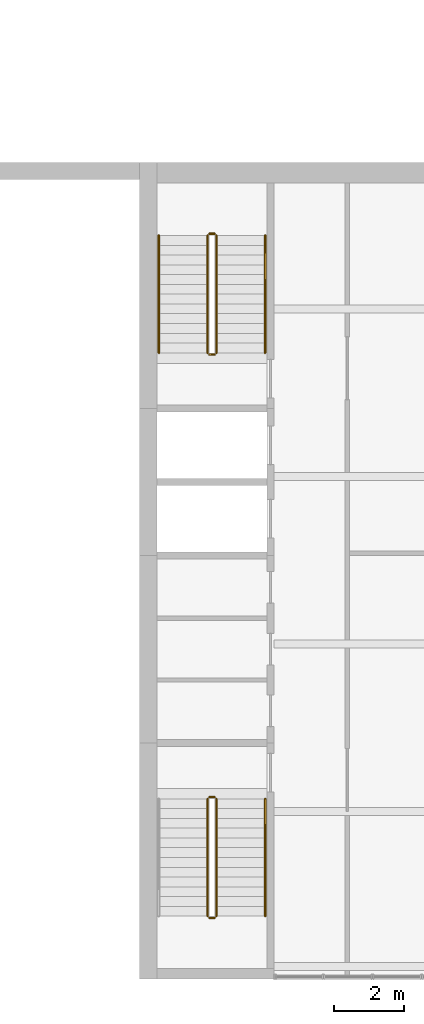
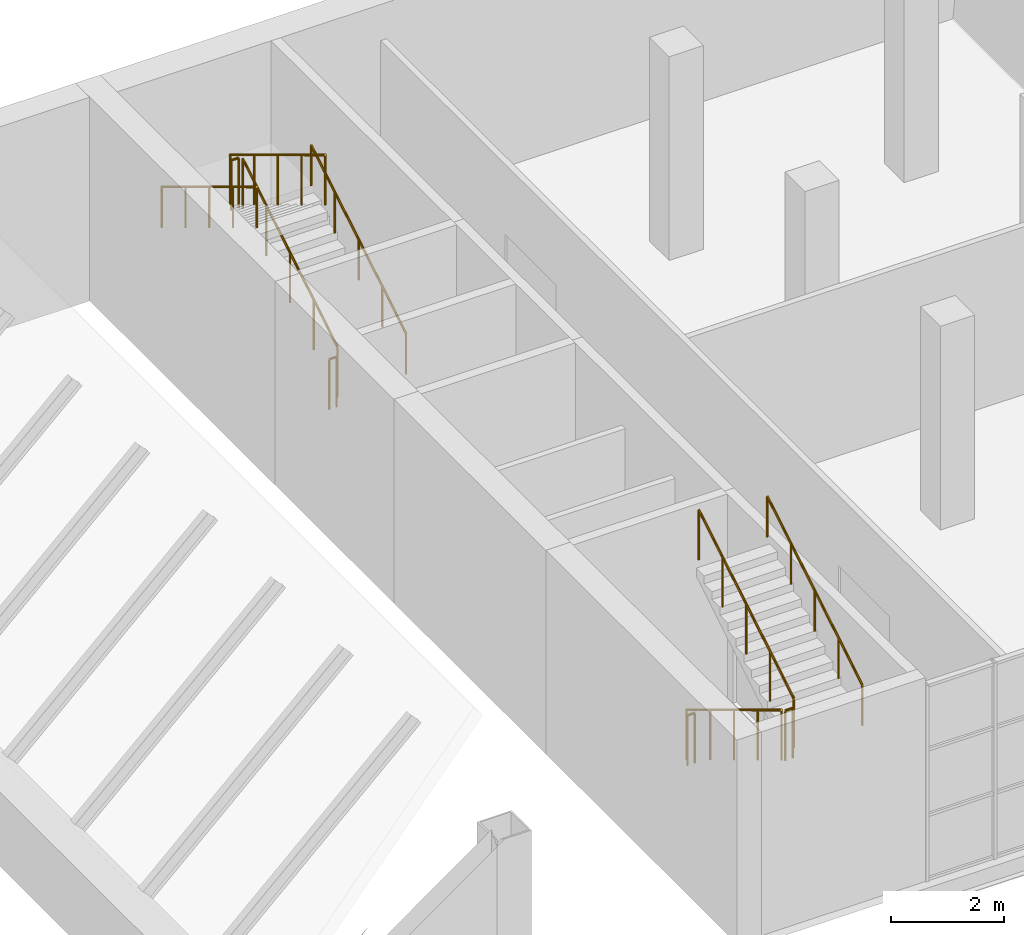
# One storey, part 29 of 30: 11 railings.
"""IFC4 building model written with IfcOpenShell, lengths in metres."""

from ifc_helpers import new_model, si_unit, direction, frame, origin, origin_2d, place, context, subcontext, project, spatial, circle, extrude, material, type_object, element, save


model = new_model("IFC4")

# Units and contexts
model_context = context("Model", 3, precision=1e-05, world=origin(), true_north=direction((0.0, 1.0)))
body_context = subcontext(model_context, "Body", "Model", "MODEL_VIEW")
ifc_project = project(units=[si_unit("LENGTHUNIT", "METRE"), si_unit("AREAUNIT", "SQUARE_METRE"), si_unit("VOLUMEUNIT", "CUBIC_METRE"), si_unit("PLANEANGLEUNIT", "RADIAN"), si_unit("MASSUNIT", "GRAM", prefix="KILO")], contexts=[model_context])

# Site, building, storey
site_placement = place(None, origin())
site = spatial("IfcSite", under=ifc_project, at=site_placement, CompositionType="ELEMENT")
building_placement = place(site_placement, origin())
building = spatial("IfcBuilding", under=site, at=building_placement, Name="Baori Bourse Tower", CompositionType="ELEMENT")
storey_placement = place(building_placement, frame((0.0, 0.0, 17.0)))
storey = spatial("IfcBuildingStorey", under=building, at=storey_placement, Name="L02", CompositionType="ELEMENT", Elevation=17.0)

# Railings
ifc_material_1 = material(Name="Stainless steel AISI 316", Category="steel")
railing_type_1 = type_object("IfcRailingType", Name="Wing guard 1100", PredefinedType="GUARDRAIL", material=ifc_material_1)
railing_1_placement = place(storey_placement, frame((59.550048828125, -7.260009765625, 0.169189453125)))
element("IfcRailing", 1, at=railing_1_placement, inside=storey, type_object=railing_type_1, Name="L02 E-STA stair guard 1", PredefinedType="GUARDRAIL", context=body_context, shape_type="SweptSolid", body=[
    extrude(circle(Radius=0.02392578125, at=origin_2d()), frame((0.0, 0.0, 1.076171875), z_axis=(0.0, 0.855836976705, 0.517245656632), x_axis=(-1.0, 0.0, 0.0)), (0.0, 0.0, 1.0), 3.926025390625),
    extrude(circle(Radius=0.02099609375, at=origin_2d()), origin(), (0.0, 0.0, 1.0), 1.052001953125),
    extrude(circle(Radius=0.02099609375, at=origin_2d()), frame((0.0, 0.840087890625, 0.5078125)), (0.0, 0.0, 1.0), 1.052001953125),
    extrude(circle(Radius=0.02099609375, at=origin_2d()), frame((0.0, 1.68017578125, 1.015380859375)), (0.0, 0.0, 1.0), 1.052001953125),
    extrude(circle(Radius=0.02099609375, at=origin_2d()), frame((0.0, 2.52001953125, 1.52294921875)), (0.0, 0.0, 1.0), 1.052001953125),
    extrude(circle(Radius=0.02099609375, at=origin_2d()), frame((0.0, 3.360107421875, 2.03076171875)), (0.0, 0.0, 1.0), 1.052001953125),
])
railing_2_placement = place(storey_placement, frame((59.5, -3.85009765625, 2.199951171875)))
element("IfcRailing", 2, at=railing_2_placement, inside=storey, type_object=railing_type_1, Name="L02 E-STA stair guard 2", PredefinedType="GUARDRAIL", context=body_context, shape_type="SweptSolid", body=[
    extrude(circle(Radius=0.02392578125, at=origin_2d()), frame((0.0, 0.0, 1.076171875), z_axis=(-1.0, 0.0, 0.0), x_axis=(0.0, -1.0, 0.0)), (0.0, 0.0, 1.0), 0.14990234375),
    extrude(circle(Radius=0.02099609375, at=origin_2d()), origin(), (0.0, 0.0, 1.0), 1.052001953125),
    extrude(circle(Radius=0.02099609375, at=origin_2d()), frame((-0.14990234375, 0.0, 0.0)), (0.0, 0.0, 1.0), 1.052001953125),
])
railing_3_placement = place(storey_placement, frame((59.300048828125, -3.89990234375, 2.369140625)))
element("IfcRailing", 3, at=railing_3_placement, inside=storey, type_object=railing_type_1, Name="L02 E-STA stair guard 3", PredefinedType="GUARDRAIL", context=body_context, shape_type="SweptSolid", body=[
    extrude(circle(Radius=0.02392578125, at=origin_2d()), frame((0.0, 0.0, 1.076171875), z_axis=(0.0, -0.855836976705, 0.517245656632), x_axis=(1.0, 0.0, 0.0)), (0.0, 0.0, 1.0), 3.926025390625),
    extrude(circle(Radius=0.02099609375, at=origin_2d()), origin(), (0.0, 0.0, 1.0), 1.052001953125),
    extrude(circle(Radius=0.02099609375, at=origin_2d()), frame((0.0, -0.840087890625, 0.5078125)), (0.0, 0.0, 1.0), 1.052001953125),
    extrude(circle(Radius=0.02099609375, at=origin_2d()), frame((0.0, -1.68017578125, 1.015380859375)), (0.0, 0.0, 1.0), 1.052001953125),
    extrude(circle(Radius=0.02099609375, at=origin_2d()), frame((0.0, -2.52001953125, 1.52294921875)), (0.0, 0.0, 1.0), 1.052001953125),
    extrude(circle(Radius=0.02099609375, at=origin_2d()), frame((0.0, -3.360107421875, 2.03076171875)), (0.0, 0.0, 1.0), 1.052001953125),
])
railing_4_placement = place(storey_placement, frame((59.5, -7.31005859375, 0.0)))
element("IfcRailing", 4, at=railing_4_placement, inside=storey, type_object=railing_type_1, Name="L02 E-STA stair guard 4", PredefinedType="GUARDRAIL", context=body_context, shape_type="SweptSolid", body=[
    extrude(circle(Radius=0.02392578125, at=origin_2d()), frame((0.0, 0.0, 1.076171875), z_axis=(-1.0, 0.0, 0.0), x_axis=(0.0, -1.0, 0.0)), (0.0, 0.0, 1.0), 0.14990234375),
    extrude(circle(Radius=0.02099609375, at=origin_2d()), origin(), (0.0, 0.0, 1.0), 1.052001953125),
    extrude(circle(Radius=0.02099609375, at=origin_2d()), frame((-0.14990234375, 0.0, 0.0)), (0.0, 0.0, 1.0), 1.052001953125),
])
railing_5_placement = place(storey_placement, frame((59.300048828125, -20.0400390625, 0.169189453125)))
element("IfcRailing", 5, at=railing_5_placement, inside=storey, type_object=railing_type_1, Name="L02 E-STB stair guard 1", PredefinedType="GUARDRAIL", context=body_context, shape_type="SweptSolid", body=[
    extrude(circle(Radius=0.02392578125, at=origin_2d()), frame((0.0, 0.0, 1.076171875), z_axis=(0.0, -0.855820338506, 0.51727318527), x_axis=(1.0, 0.0, 0.0)), (0.0, 0.0, 1.0), 3.92578125),
    extrude(circle(Radius=0.02099609375, at=origin_2d()), origin(), (0.0, 0.0, 1.0), 1.052001953125),
    extrude(circle(Radius=0.02099609375, at=origin_2d()), frame((0.0, -0.83984375, 0.5078125)), (0.0, 0.0, 1.0), 1.052001953125),
    extrude(circle(Radius=0.02099609375, at=origin_2d()), frame((0.0, -1.679931640625, 1.015380859375)), (0.0, 0.0, 1.0), 1.052001953125),
    extrude(circle(Radius=0.02099609375, at=origin_2d()), frame((0.0, -2.52001953125, 1.52294921875)), (0.0, 0.0, 1.0), 1.052001953125),
    extrude(circle(Radius=0.02099609375, at=origin_2d()), frame((0.0, -3.35986328125, 2.03076171875)), (0.0, 0.0, 1.0), 1.052001953125),
])
railing_6_placement = place(storey_placement, frame((59.35009765625, -23.449951171875, 2.199951171875)))
element("IfcRailing", 6, at=railing_6_placement, inside=storey, type_object=railing_type_1, Name="L02 E-STB stair guard 2", PredefinedType="GUARDRAIL", context=body_context, shape_type="SweptSolid", body=[
    extrude(circle(Radius=0.02392578125, at=origin_2d()), frame((0.0, 0.0, 1.076171875), z_axis=(1.0, 0.0, 0.0), x_axis=(0.0, 1.0, 0.0)), (0.0, 0.0, 1.0), 0.14990234375),
    extrude(circle(Radius=0.02099609375, at=origin_2d()), origin(), (0.0, 0.0, 1.0), 1.052001953125),
    extrude(circle(Radius=0.02099609375, at=origin_2d()), frame((0.14990234375, 0.0, 0.0)), (0.0, 0.0, 1.0), 1.052001953125),
])
railing_7_placement = place(storey_placement, frame((59.550048828125, -23.39990234375, 2.369140625)))
element("IfcRailing", 7, at=railing_7_placement, inside=storey, type_object=railing_type_1, Name="L02 E-STB stair guard 3", PredefinedType="GUARDRAIL", context=body_context, shape_type="SweptSolid", body=[
    extrude(circle(Radius=0.02392578125, at=origin_2d()), frame((0.0, 0.0, 1.076171875), z_axis=(0.0, 0.855820338506, 0.51727318527), x_axis=(-1.0, 0.0, 0.0)), (0.0, 0.0, 1.0), 3.92578125),
    extrude(circle(Radius=0.02099609375, at=origin_2d()), origin(), (0.0, 0.0, 1.0), 1.052001953125),
    extrude(circle(Radius=0.02099609375, at=origin_2d()), frame((0.0, 0.83984375, 0.5078125)), (0.0, 0.0, 1.0), 1.052001953125),
    extrude(circle(Radius=0.02099609375, at=origin_2d()), frame((0.0, 1.679931640625, 1.015380859375)), (0.0, 0.0, 1.0), 1.052001953125),
    extrude(circle(Radius=0.02099609375, at=origin_2d()), frame((0.0, 2.52001953125, 1.52294921875)), (0.0, 0.0, 1.0), 1.052001953125),
    extrude(circle(Radius=0.02099609375, at=origin_2d()), frame((0.0, 3.35986328125, 2.03076171875)), (0.0, 0.0, 1.0), 1.052001953125),
])
railing_8_placement = place(storey_placement, frame((59.35009765625, -19.989990234375, 0.0)))
element("IfcRailing", 8, at=railing_8_placement, inside=storey, type_object=railing_type_1, Name="L02 E-STB stair guard 4", PredefinedType="GUARDRAIL", context=body_context, shape_type="SweptSolid", body=[
    extrude(circle(Radius=0.02392578125, at=origin_2d()), frame((0.0, 0.0, 1.076171875), z_axis=(1.0, 0.0, 0.0), x_axis=(0.0, 1.0, 0.0)), (0.0, 0.0, 1.0), 0.14990234375),
    extrude(circle(Radius=0.02099609375, at=origin_2d()), origin(), (0.0, 0.0, 1.0), 1.052001953125),
    extrude(circle(Radius=0.02099609375, at=origin_2d()), frame((0.14990234375, 0.0, 0.0)), (0.0, 0.0, 1.0), 1.052001953125),
])
ifc_material_2 = material(Name="Stainless steel AISI 316", Category="steel")
railing_type_2 = type_object("IfcRailingType", Name="Wing handrail 900", PredefinedType="HANDRAIL", material=ifc_material_2)
railing_9_placement = place(storey_placement, frame((60.949951171875, -7.260009765625, 0.169189453125)))
element("IfcRailing", 9, at=railing_9_placement, inside=storey, type_object=railing_type_2, Name="L02 E-STA stair handrail 1", PredefinedType="HANDRAIL", context=body_context, shape_type="SweptSolid", body=[
    extrude(circle(Radius=0.02392578125, at=origin_2d()), frame((0.0, 0.0, 0.8759765625), z_axis=(0.0, 0.855836976705, 0.517245656632), x_axis=(-1.0, 0.0, 0.0)), (0.0, 0.0, 1.0), 3.926025390625),
    extrude(circle(Radius=0.02099609375, at=origin_2d()), origin(), (0.0, 0.0, 1.0), 0.851806640625),
    extrude(circle(Radius=0.02099609375, at=origin_2d()), frame((0.0, 0.840087890625, 0.5078125)), (0.0, 0.0, 1.0), 0.851806640625),
    extrude(circle(Radius=0.02099609375, at=origin_2d()), frame((0.0, 1.68017578125, 1.015380859375)), (0.0, 0.0, 1.0), 0.851806640625),
    extrude(circle(Radius=0.02099609375, at=origin_2d()), frame((0.0, 2.52001953125, 1.52294921875)), (0.0, 0.0, 1.0), 0.851806640625),
    extrude(circle(Radius=0.02099609375, at=origin_2d()), frame((0.0, 3.360107421875, 2.03076171875)), (0.0, 0.0, 1.0), 0.851806640625),
])
railing_10_placement = place(storey_placement, frame((57.89990234375, -3.89990234375, 2.369140625)))
element("IfcRailing", 10, at=railing_10_placement, inside=storey, type_object=railing_type_2, Name="L02 E-STA stair handrail 2", PredefinedType="HANDRAIL", context=body_context, shape_type="SweptSolid", body=[
    extrude(circle(Radius=0.02392578125, at=origin_2d()), frame((0.0, 0.0, 0.8759765625), z_axis=(0.0, -0.855836976705, 0.517245656632), x_axis=(1.0, 0.0, 0.0)), (0.0, 0.0, 1.0), 3.926025390625),
    extrude(circle(Radius=0.02099609375, at=origin_2d()), origin(), (0.0, 0.0, 1.0), 0.851806640625),
    extrude(circle(Radius=0.02099609375, at=origin_2d()), frame((0.0, -0.840087890625, 0.5078125)), (0.0, 0.0, 1.0), 0.851806640625),
    extrude(circle(Radius=0.02099609375, at=origin_2d()), frame((0.0, -1.68017578125, 1.015380859375)), (0.0, 0.0, 1.0), 0.851806640625),
    extrude(circle(Radius=0.02099609375, at=origin_2d()), frame((0.0, -2.52001953125, 1.52294921875)), (0.0, 0.0, 1.0), 0.851806640625),
    extrude(circle(Radius=0.02099609375, at=origin_2d()), frame((0.0, -3.360107421875, 2.03076171875)), (0.0, 0.0, 1.0), 0.851806640625),
])
railing_11_placement = place(storey_placement, frame((60.949951171875, -23.39990234375, 2.369140625)))
element("IfcRailing", 11, at=railing_11_placement, inside=storey, type_object=railing_type_2, Name="L02 E-STB stair handrail 2", PredefinedType="HANDRAIL", context=body_context, shape_type="SweptSolid", body=[
    extrude(circle(Radius=0.02392578125, at=origin_2d()), frame((0.0, 0.0, 0.8759765625), z_axis=(0.0, 0.855820338506, 0.51727318527), x_axis=(-1.0, 0.0, 0.0)), (0.0, 0.0, 1.0), 3.92578125),
    extrude(circle(Radius=0.02099609375, at=origin_2d()), origin(), (0.0, 0.0, 1.0), 0.851806640625),
    extrude(circle(Radius=0.02099609375, at=origin_2d()), frame((0.0, 0.83984375, 0.5078125)), (0.0, 0.0, 1.0), 0.851806640625),
    extrude(circle(Radius=0.02099609375, at=origin_2d()), frame((0.0, 1.679931640625, 1.015380859375)), (0.0, 0.0, 1.0), 0.851806640625),
    extrude(circle(Radius=0.02099609375, at=origin_2d()), frame((0.0, 2.52001953125, 1.52294921875)), (0.0, 0.0, 1.0), 0.851806640625),
    extrude(circle(Radius=0.02099609375, at=origin_2d()), frame((0.0, 3.35986328125, 2.03076171875)), (0.0, 0.0, 1.0), 0.851806640625),
])

save(model, "model.ifc")
